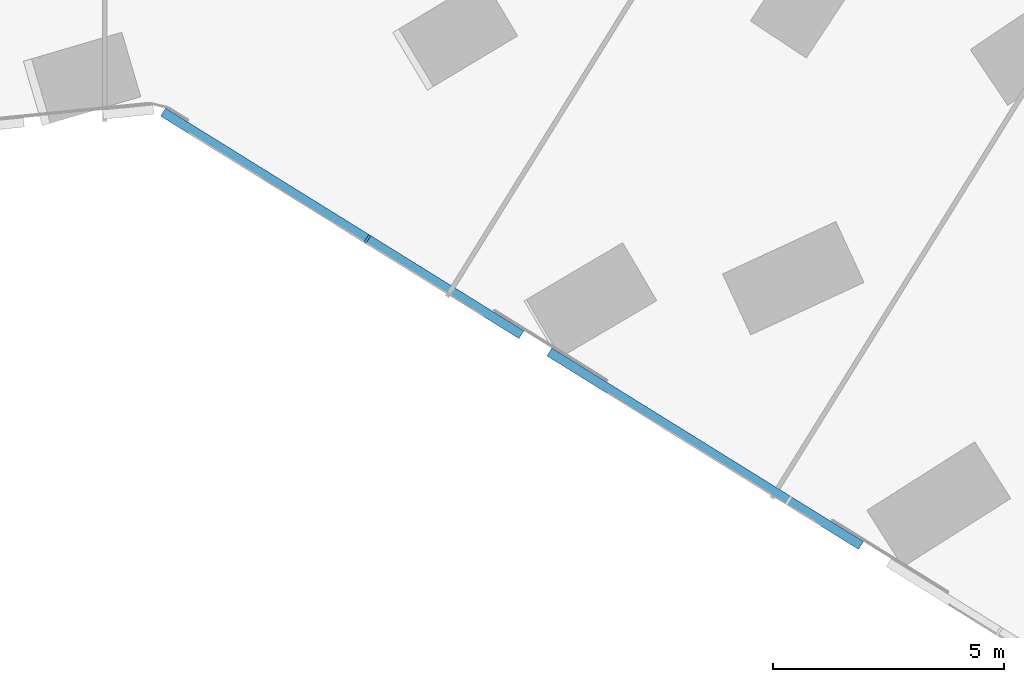
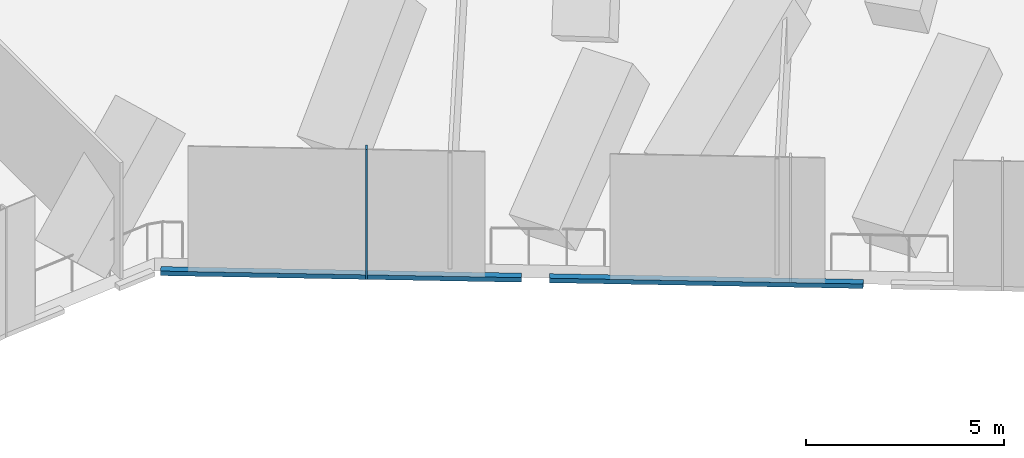
# One storey, part 8 of 31: 3 members, 1 element without a shape of its own.
"""IFC4 building model written with IfcOpenShell, lengths in metres."""

from ifc_helpers import new_model, si_unit, direction, frame, origin, origin_2d, place, context, subcontext, project, spatial, rectangle, extrude, material, material_profile, profile_set, type_object, element, aggregate, save


model = new_model("IFC4")

# Units and contexts
model_context = context("Model", 3, precision=1e-05, world=origin(), true_north=direction((0.0, 1.0)))
body_context = subcontext(model_context, "Body", "Model", "MODEL_VIEW")
ifc_project = project(units=[si_unit("LENGTHUNIT", "METRE"), si_unit("AREAUNIT", "SQUARE_METRE"), si_unit("VOLUMEUNIT", "CUBIC_METRE"), si_unit("PLANEANGLEUNIT", "RADIAN"), si_unit("MASSUNIT", "GRAM", prefix="KILO")], contexts=[model_context])

# Site, building, storey
site_placement = place(None, origin())
site = spatial("IfcSite", under=ifc_project, at=site_placement, CompositionType="ELEMENT")
building_placement = place(site_placement, origin())
building = spatial("IfcBuilding", under=site, at=building_placement, Name="Orlundy Tower", CompositionType="ELEMENT")
storey_placement = place(building_placement, frame((0.0, 0.0, 54.800048828125)))
storey = spatial("IfcBuildingStorey", under=building, at=storey_placement, Name="L12", CompositionType="ELEMENT", Elevation=54.800048828125)

# Curtain wall, members
ifc_material_1 = material(Name="Aluminium bronze anodised", Category="aluminium")
curtain_wall_type = type_object("IfcCurtainWallType", Name="CW5 wall", PredefinedType="NOTDEFINED", material=ifc_material_1)
curtain_wall_placement = place(storey_placement, origin())
curtain_wall = element("IfcCurtainWall", 1, at=curtain_wall_placement, inside=storey, type_object=curtain_wall_type, Name="CW5 run 041", PredefinedType="NOTDEFINED")
ifc_material_2 = material(Name="Aluminium bronze anodised", Category="aluminium")
ifc_material_profile_1 = material_profile(ifc_material_2, rectangle(XDim=0.199951171875, YDim=0.050048828125, at=origin_2d()), Name="CW5 mullion 50x200")
ifc_profile_set_1 = profile_set([ifc_material_profile_1], Name="Aluminium bronze anodised")
member_type_1 = type_object("IfcMemberType", Name="CW5 mullion 50x200", PredefinedType="MULLION", material=ifc_profile_set_1)
member_1_placement = place(storey_placement, frame((13.67333984375, -32.1474609375, -0.400146484375), z_axis=(0.0, 0.0, 1.0), x_axis=(-0.52744929328, -0.849586512969, 0.0)))
member_1 = element("IfcMember", 2, at=member_1_placement, type_object=member_type_1, Name="CW5 mullion 74", PredefinedType="MULLION", context=body_context, shape_type="SweptSolid", body=[
    extrude(rectangle(XDim=0.199951171875, YDim=0.050048828125, at=origin_2d()), origin(), (0.0, 0.0, 1.0), 4.0),
])
ifc_material_3 = material(Name="Aluminium bronze anodised", Category="aluminium")
ifc_material_profile_2 = material_profile(ifc_material_3, rectangle(XDim=0.199951171875, YDim=0.139892578125, at=origin_2d()), Name="CW5 transom 200x140")
ifc_profile_set_2 = profile_set([ifc_material_profile_2], Name="Aluminium bronze anodised")
member_type_2 = type_object("IfcMemberType", Name="CW5 transom 200x140", PredefinedType="USERDEFINED", material=ifc_profile_set_2)
member_2_placement = place(storey_placement, frame((24.339111328125, -38.76904296875, -0.330078125), z_axis=(-0.84958115434, 0.527457924569, 0.0), x_axis=(-0.527457924569, -0.84958115434, 0.0)))
member_2 = element("IfcMember", 3, at=member_2_placement, type_object=member_type_2, Name="CW5 transom", ObjectType="TRANSOM", PredefinedType="USERDEFINED", context=body_context, shape_type="SweptSolid", body=[
    extrude(rectangle(XDim=0.199951171875, YDim=0.139892578125, at=origin_2d()), origin(), (0.0, 0.0, 1.0), 7.927001953125),
])
member_3_placement = place(storey_placement, frame((17.00390625, -34.215087890625, -0.330078125), z_axis=(-0.849580167279, 0.527459514433, 0.0), x_axis=(-0.527459514433, -0.849580167279, 0.0)))
member_3 = element("IfcMember", 4, at=member_3_placement, type_object=member_type_2, Name="CW5 transom", ObjectType="TRANSOM", PredefinedType="USERDEFINED", context=body_context, shape_type="SweptSolid", body=[
    extrude(rectangle(XDim=0.199951171875, YDim=0.139892578125, at=origin_2d()), origin(), (0.0, 0.0, 1.0), 9.116943359375),
])
aggregate(curtain_wall, [member_1, member_2, member_3])

save(model, "model.ifc")
